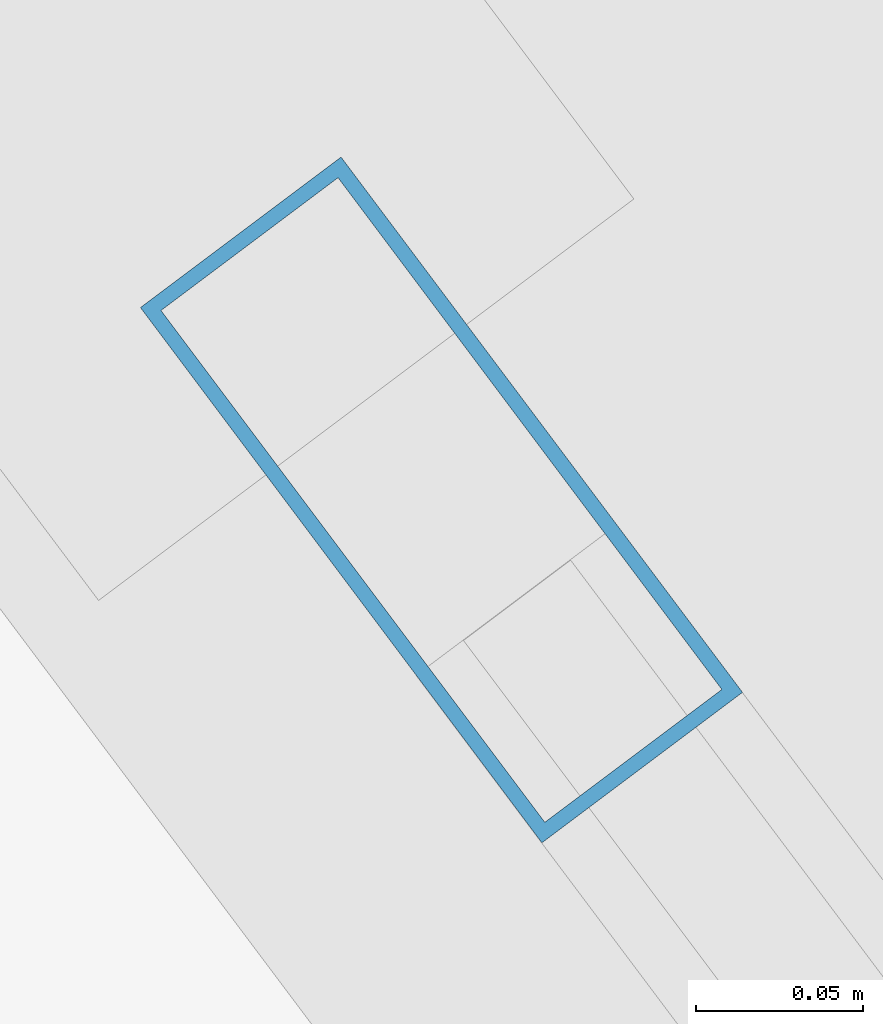
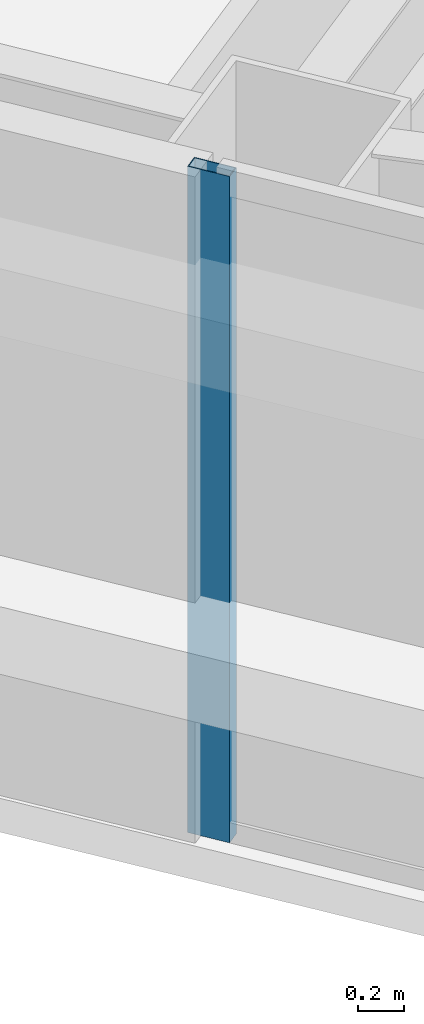
# One storey, part 19 of 50: 1 member, 1 element without a shape of its own.
"""IFC4 building model written with IfcOpenShell, lengths in metres."""

from ifc_helpers import new_model, si_unit, direction, frame, origin, origin_2d, place, context, subcontext, project, spatial, hollow_rectangle, extrude, material, material_profile, profile_set, type_object, element, aggregate, save


model = new_model("IFC4")

# Units and contexts
model_context = context("Model", 3, precision=1e-05, world=origin(), true_north=direction((0.0, 1.0)))
body_context = subcontext(model_context, "Body", "Model", "MODEL_VIEW")
ifc_project = project(units=[si_unit("LENGTHUNIT", "METRE"), si_unit("AREAUNIT", "SQUARE_METRE"), si_unit("VOLUMEUNIT", "CUBIC_METRE"), si_unit("PLANEANGLEUNIT", "RADIAN"), si_unit("MASSUNIT", "GRAM", prefix="KILO")], contexts=[model_context])

# Site, building, storey
site_placement = place(None, origin())
site = spatial("IfcSite", under=ifc_project, at=site_placement, CompositionType="ELEMENT")
building_placement = place(site_placement, origin())
building = spatial("IfcBuilding", under=site, at=building_placement, Name="Tashvorn Skyway Center", CompositionType="ELEMENT")
storey_placement = place(building_placement, frame((0.0, 0.0, 114.39990234375)))
storey = spatial("IfcBuildingStorey", under=building, at=storey_placement, Name="L30", CompositionType="ELEMENT", Elevation=114.39990234375)

# Curtain wall, member
ifc_material = material(Name="Thermally broken bronze-anodized aluminium 6063-T6", Category="aluminium")
curtain_wall_type = type_object("IfcCurtainWallType", Name="CW-CW-Z3", PredefinedType="NOTDEFINED", material=ifc_material)
curtain_wall_placement = place(storey_placement, origin())
curtain_wall = element("IfcCurtainWall", 1, at=curtain_wall_placement, inside=storey, type_object=curtain_wall_type, Name="Tower 2 L30 West Unitised Curtain Wall Glazing Group 1", PredefinedType="NOTDEFINED")
ifc_material_profile = material_profile(ifc_material, hollow_rectangle(XDim=0.074951171875, YDim=0.199951171875, WallThickness=0.00439453125, at=origin_2d()), Name="ALU-MULL-75x200")
ifc_profile_set = profile_set([ifc_material_profile], Name="Thermally broken bronze-anodized aluminium 6063-T6")
member_type = type_object("IfcMemberType", Name="CWM-CW-Z3", PredefinedType="MULLION", material=ifc_profile_set)
member_placement = place(storey_placement, frame((102.574462890625, 16.767333984375, 0.0), z_axis=(0.0, 0.0, 1.0), x_axis=(-0.799998866489, -0.600001511345, 0.0)))
member = element("IfcMember", 2, at=member_placement, type_object=member_type, Name="CW-Z3 mullion 2", PredefinedType="MULLION", context=body_context, shape_type="SweptSolid", body=[
    extrude(hollow_rectangle(XDim=0.074951171875, YDim=0.199951171875, WallThickness=0.00439453125, at=origin_2d()), origin(), (0.0, 0.0, 1.0), 3.550048828125),
])
aggregate(curtain_wall, [member])

save(model, "model.ifc")
